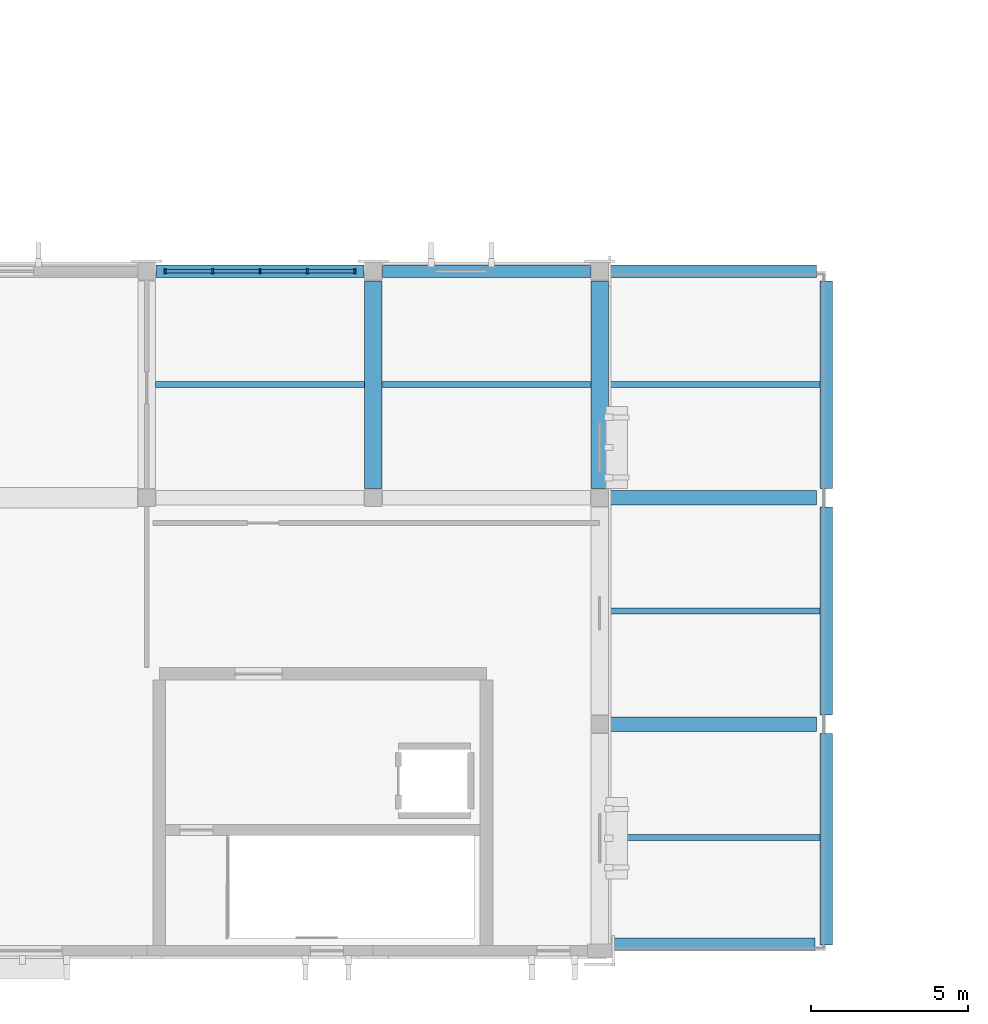
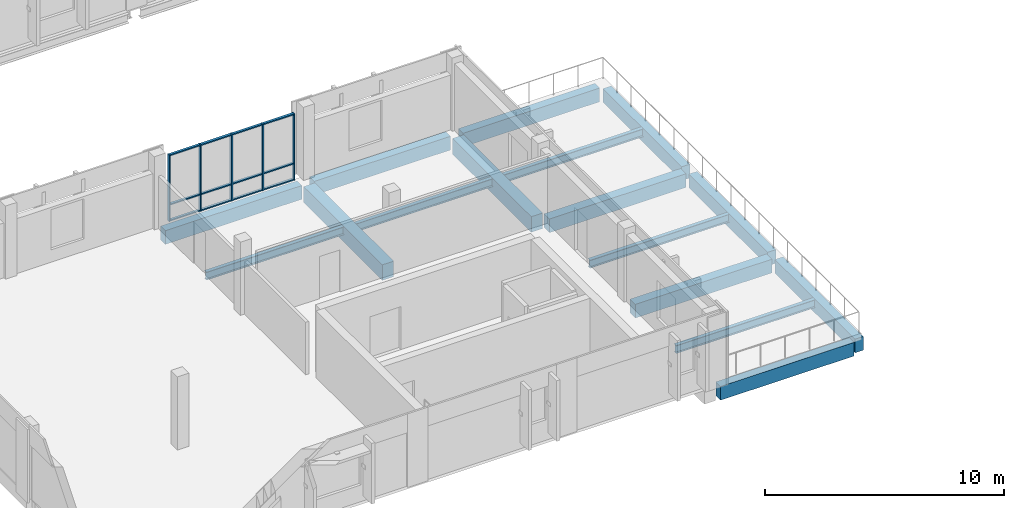
# One storey, part 11 of 73: 17 members, 16 beams, 1 element without a shape of its own.
"""IFC4 building model written with IfcOpenShell, lengths in metres."""

from ifc_helpers import new_model, si_unit, direction, frame, origin, origin_2d, place, context, subcontext, project, spatial, rectangle, i_section, extrude, material, material_profile, profile_set, type_object, element, aggregate, save


model = new_model("IFC4")

# Units and contexts
model_context = context("Model", 3, precision=1e-05, world=origin(), true_north=direction((0.0, 1.0)))
body_context = subcontext(model_context, "Body", "Model", "MODEL_VIEW")
ifc_project = project(units=[si_unit("LENGTHUNIT", "METRE"), si_unit("AREAUNIT", "SQUARE_METRE"), si_unit("VOLUMEUNIT", "CUBIC_METRE"), si_unit("PLANEANGLEUNIT", "RADIAN"), si_unit("MASSUNIT", "GRAM", prefix="KILO")], contexts=[model_context])

# Site, building, storey
site_placement = place(None, origin())
site = spatial("IfcSite", under=ifc_project, at=site_placement, CompositionType="ELEMENT")
building_placement = place(site_placement, origin())
building = spatial("IfcBuilding", under=site, at=building_placement, Name="Vervanel Yard Central Library", CompositionType="ELEMENT")
storey_placement = place(building_placement, frame((0.0, 0.0, 12.780029296875)))
storey = spatial("IfcBuildingStorey", under=building, at=storey_placement, Name="L03", CompositionType="ELEMENT", Elevation=12.780029296875)

# Curtain wall, members
ifc_material_1 = material(Name="Thermally broken anodized aluminium 6063-T6", Category="aluminium")
curtain_wall_type = type_object("IfcCurtainWallType", Name="Boulevard Cafe & Bridge Curtain Wall", PredefinedType="NOTDEFINED", material=ifc_material_1)
curtain_wall_placement = place(storey_placement, origin())
curtain_wall = element("IfcCurtainWall", 1, at=curtain_wall_placement, inside=storey, type_object=curtain_wall_type, Name="L03 Boulevard Cafe & Bridge Curtain Wall CWR-L03-200", PredefinedType="NOTDEFINED")
ifc_material_profile_1 = material_profile(ifc_material_1, rectangle(XDim=0.06005859375, YDim=0.159912109375, at=origin_2d()), Name="ALU 60x160", Category="aluminium")
ifc_profile_set_1 = profile_set([ifc_material_profile_1], Name="Thermally broken anodized aluminium 6063-T6")
member_type_1 = type_object("IfcMemberType", Name="Bridge & Courtyard Mullion 60x160", PredefinedType="MULLION", material=ifc_profile_set_1)
member_1_placement = place(storey_placement, frame((14.989990234375, 21.60009765625, 0.0), z_axis=(0.0, 0.0, 1.0), x_axis=(1.0, 0.0, 0.0)))
member_1 = element("IfcMember", 2, at=member_1_placement, type_object=member_type_1, Name="CWR-L03-200 Mullion 1", PredefinedType="MULLION", context=body_context, shape_type="SweptSolid", body=[
    extrude(rectangle(XDim=0.06005859375, YDim=0.159912109375, at=origin_2d()), origin(), (0.0, 0.0, 1.0), 3.39990234375),
])
member_2_placement = place(storey_placement, frame((16.4951171875, 21.60009765625, 0.0), z_axis=(0.0, 0.0, 1.0), x_axis=(1.0, 0.0, 0.0)))
member_2 = element("IfcMember", 3, at=member_2_placement, type_object=member_type_1, Name="CWR-L03-200 Mullion 2", PredefinedType="MULLION", context=body_context, shape_type="SweptSolid", body=[
    extrude(rectangle(XDim=0.06005859375, YDim=0.159912109375, at=origin_2d()), origin(), (0.0, 0.0, 1.0), 3.39990234375),
])
member_3_placement = place(storey_placement, frame((18.0, 21.60009765625, 0.0), z_axis=(0.0, 0.0, 1.0), x_axis=(1.0, 0.0, 0.0)))
member_3 = element("IfcMember", 4, at=member_3_placement, type_object=member_type_1, Name="CWR-L03-200 Mullion 3", PredefinedType="MULLION", context=body_context, shape_type="SweptSolid", body=[
    extrude(rectangle(XDim=0.06005859375, YDim=0.159912109375, at=origin_2d()), origin(), (0.0, 0.0, 1.0), 3.39990234375),
])
member_4_placement = place(storey_placement, frame((19.5048828125, 21.60009765625, 0.0), z_axis=(0.0, 0.0, 1.0), x_axis=(1.0, 0.0, 0.0)))
member_4 = element("IfcMember", 5, at=member_4_placement, type_object=member_type_1, Name="CWR-L03-200 Mullion 4", PredefinedType="MULLION", context=body_context, shape_type="SweptSolid", body=[
    extrude(rectangle(XDim=0.06005859375, YDim=0.159912109375, at=origin_2d()), origin(), (0.0, 0.0, 1.0), 3.39990234375),
])
member_5_placement = place(storey_placement, frame((21.010009765625, 21.60009765625, 0.0), z_axis=(0.0, 0.0, 1.0), x_axis=(1.0, 0.0, 0.0)))
member_5 = element("IfcMember", 6, at=member_5_placement, type_object=member_type_1, Name="CWR-L03-200 Mullion 5", PredefinedType="MULLION", context=body_context, shape_type="SweptSolid", body=[
    extrude(rectangle(XDim=0.06005859375, YDim=0.159912109375, at=origin_2d()), origin(), (0.0, 0.0, 1.0), 3.39990234375),
])
ifc_material_profile_2 = material_profile(ifc_material_1, rectangle(XDim=0.06005859375, YDim=0.1201171875, at=origin_2d()), Name="ALU 60x120", Category="aluminium")
ifc_profile_set_2 = profile_set([ifc_material_profile_2], Name="Thermally broken anodized aluminium 6063-T6")
member_type_2 = type_object("IfcMemberType", Name="Bridge & Courtyard Transom 60x120", PredefinedType="NOTDEFINED", material=ifc_profile_set_2)
member_6_placement = place(storey_placement, frame((15.02001953125, 21.60009765625, 0.030029296875), z_axis=(1.0, 0.0, 0.0), x_axis=(0.0, 0.0, 1.0)))
member_6 = element("IfcMember", 7, at=member_6_placement, type_object=member_type_2, Name="CWR-L03-200 Transom B1-T1", ObjectType="TRANSOM", PredefinedType="USERDEFINED", context=body_context, shape_type="SweptSolid", body=[
    extrude(rectangle(XDim=0.06005859375, YDim=0.1201171875, at=origin_2d()), origin(), (0.0, 0.0, 1.0), 1.445068359375),
])
member_7_placement = place(storey_placement, frame((15.02001953125, 21.60009765625, 0.849853515625), z_axis=(1.0, 0.0, 0.0), x_axis=(0.0, 0.0, 1.0)))
member_7 = element("IfcMember", 8, at=member_7_placement, type_object=member_type_2, Name="CWR-L03-200 Transom B1-T2", ObjectType="TRANSOM", PredefinedType="USERDEFINED", context=body_context, shape_type="SweptSolid", body=[
    extrude(rectangle(XDim=0.06005859375, YDim=0.1201171875, at=origin_2d()), origin(), (0.0, 0.0, 1.0), 1.445068359375),
])
member_8_placement = place(storey_placement, frame((15.02001953125, 21.60009765625, 3.369873046875), z_axis=(1.0, 0.0, 0.0), x_axis=(0.0, 0.0, 1.0)))
member_8 = element("IfcMember", 9, at=member_8_placement, type_object=member_type_2, Name="CWR-L03-200 Transom B1-T3", ObjectType="TRANSOM", PredefinedType="USERDEFINED", context=body_context, shape_type="SweptSolid", body=[
    extrude(rectangle(XDim=0.06005859375, YDim=0.1201171875, at=origin_2d()), origin(), (0.0, 0.0, 1.0), 1.445068359375),
])
member_9_placement = place(storey_placement, frame((16.52490234375, 21.60009765625, 0.030029296875), z_axis=(1.0, 0.0, 0.0), x_axis=(0.0, 0.0, 1.0)))
member_9 = element("IfcMember", 10, at=member_9_placement, type_object=member_type_2, Name="CWR-L03-200 Transom B2-T1", ObjectType="TRANSOM", PredefinedType="USERDEFINED", context=body_context, shape_type="SweptSolid", body=[
    extrude(rectangle(XDim=0.06005859375, YDim=0.1201171875, at=origin_2d()), origin(), (0.0, 0.0, 1.0), 1.445068359375),
])
member_10_placement = place(storey_placement, frame((16.52490234375, 21.60009765625, 0.849853515625), z_axis=(1.0, 0.0, 0.0), x_axis=(0.0, 0.0, 1.0)))
member_10 = element("IfcMember", 11, at=member_10_placement, type_object=member_type_2, Name="CWR-L03-200 Transom B2-T2", ObjectType="TRANSOM", PredefinedType="USERDEFINED", context=body_context, shape_type="SweptSolid", body=[
    extrude(rectangle(XDim=0.06005859375, YDim=0.1201171875, at=origin_2d()), origin(), (0.0, 0.0, 1.0), 1.445068359375),
])
member_11_placement = place(storey_placement, frame((16.52490234375, 21.60009765625, 3.369873046875), z_axis=(1.0, 0.0, 0.0), x_axis=(0.0, 0.0, 1.0)))
member_11 = element("IfcMember", 12, at=member_11_placement, type_object=member_type_2, Name="CWR-L03-200 Transom B2-T3", ObjectType="TRANSOM", PredefinedType="USERDEFINED", context=body_context, shape_type="SweptSolid", body=[
    extrude(rectangle(XDim=0.06005859375, YDim=0.1201171875, at=origin_2d()), origin(), (0.0, 0.0, 1.0), 1.445068359375),
])
member_12_placement = place(storey_placement, frame((18.030029296875, 21.60009765625, 0.030029296875), z_axis=(1.0, 0.0, 0.0), x_axis=(0.0, 0.0, 1.0)))
member_12 = element("IfcMember", 13, at=member_12_placement, type_object=member_type_2, Name="CWR-L03-200 Transom B3-T1", ObjectType="TRANSOM", PredefinedType="USERDEFINED", context=body_context, shape_type="SweptSolid", body=[
    extrude(rectangle(XDim=0.06005859375, YDim=0.1201171875, at=origin_2d()), origin(), (0.0, 0.0, 1.0), 1.445068359375),
])
member_13_placement = place(storey_placement, frame((18.030029296875, 21.60009765625, 0.849853515625), z_axis=(1.0, 0.0, 0.0), x_axis=(0.0, 0.0, 1.0)))
member_13 = element("IfcMember", 14, at=member_13_placement, type_object=member_type_2, Name="CWR-L03-200 Transom B3-T2", ObjectType="TRANSOM", PredefinedType="USERDEFINED", context=body_context, shape_type="SweptSolid", body=[
    extrude(rectangle(XDim=0.06005859375, YDim=0.1201171875, at=origin_2d()), origin(), (0.0, 0.0, 1.0), 1.445068359375),
])
member_14_placement = place(storey_placement, frame((18.030029296875, 21.60009765625, 3.369873046875), z_axis=(1.0, 0.0, 0.0), x_axis=(0.0, 0.0, 1.0)))
member_14 = element("IfcMember", 15, at=member_14_placement, type_object=member_type_2, Name="CWR-L03-200 Transom B3-T3", ObjectType="TRANSOM", PredefinedType="USERDEFINED", context=body_context, shape_type="SweptSolid", body=[
    extrude(rectangle(XDim=0.06005859375, YDim=0.1201171875, at=origin_2d()), origin(), (0.0, 0.0, 1.0), 1.445068359375),
])
member_15_placement = place(storey_placement, frame((19.534912109375, 21.60009765625, 0.030029296875), z_axis=(1.0, 0.0, 0.0), x_axis=(0.0, 0.0, 1.0)))
member_15 = element("IfcMember", 16, at=member_15_placement, type_object=member_type_2, Name="CWR-L03-200 Transom B4-T1", ObjectType="TRANSOM", PredefinedType="USERDEFINED", context=body_context, shape_type="SweptSolid", body=[
    extrude(rectangle(XDim=0.06005859375, YDim=0.1201171875, at=origin_2d()), origin(), (0.0, 0.0, 1.0), 1.445068359375),
])
member_16_placement = place(storey_placement, frame((19.534912109375, 21.60009765625, 0.849853515625), z_axis=(1.0, 0.0, 0.0), x_axis=(0.0, 0.0, 1.0)))
member_16 = element("IfcMember", 17, at=member_16_placement, type_object=member_type_2, Name="CWR-L03-200 Transom B4-T2", ObjectType="TRANSOM", PredefinedType="USERDEFINED", context=body_context, shape_type="SweptSolid", body=[
    extrude(rectangle(XDim=0.06005859375, YDim=0.1201171875, at=origin_2d()), origin(), (0.0, 0.0, 1.0), 1.445068359375),
])
member_17_placement = place(storey_placement, frame((19.534912109375, 21.60009765625, 3.369873046875), z_axis=(1.0, 0.0, 0.0), x_axis=(0.0, 0.0, 1.0)))
member_17 = element("IfcMember", 18, at=member_17_placement, type_object=member_type_2, Name="CWR-L03-200 Transom B4-T3", ObjectType="TRANSOM", PredefinedType="USERDEFINED", context=body_context, shape_type="SweptSolid", body=[
    extrude(rectangle(XDim=0.06005859375, YDim=0.1201171875, at=origin_2d()), origin(), (0.0, 0.0, 1.0), 1.445068359375),
])
aggregate(curtain_wall, [member_1, member_2, member_3, member_4, member_5, member_6, member_7, member_8, member_9, member_10, member_11, member_12, member_13, member_14, member_15, member_16, member_17])

# Beams
ifc_material_2 = material(Name="Concrete C40/50", Category="concrete")
ifc_material_profile_3 = material_profile(ifc_material_2, rectangle(XDim=0.449951171875, YDim=0.699951171875, at=origin_2d()), Name="RC 450x700", Category="concrete")
ifc_profile_set_3 = profile_set([ifc_material_profile_3], Name="Concrete C40/50")
beam_type_1 = type_object("IfcBeamType", Name="Concrete Girder 450x700", PredefinedType="BEAM", material=ifc_profile_set_3)
for number, where, z_axis, x_axis, name in (
    (19, (29.10009765625, 7.199951171875, -0.695068359375), (1.0, 0.0, 0.0), (0.0, 1.0, 0.0), "L03 Girder CB-05 Y=7.2 X=28.8-36.0"),
    (20, (29.10009765625, 14.39990234375, -0.695068359375), (1.0, 0.0, 0.0), (0.0, 1.0, 0.0), "L03 Girder CB-05 Y=14.4 X=28.8-36.0"),
):
    element("IfcBeam", number, at=place(storey_placement, frame(where, z_axis=z_axis, x_axis=x_axis)), inside=storey, type_object=beam_type_1, Name=name, PredefinedType="BEAM", context=body_context, shape_type="SweptSolid", body=[
        extrude(rectangle(XDim=0.449951171875, YDim=0.699951171875, at=origin_2d()), origin(), (0.0, 0.0, 1.0), 6.599853515625),
    ])
ifc_material_profile_4 = material_profile(ifc_material_2, rectangle(XDim=0.39990234375, YDim=0.699951171875, at=origin_2d()), Name="RC 400x700", Category="concrete")
ifc_profile_set_4 = profile_set([ifc_material_profile_4], Name="Concrete C40/50")
beam_type_2 = type_object("IfcBeamType", Name="Concrete Perimeter Spandrel 400x700", PredefinedType="SPANDREL", material=ifc_profile_set_4)
beam_1_placement = place(storey_placement, frame((29.18994140625, 0.199951171875, -0.695068359375), z_axis=(1.0, 0.0, 0.0), x_axis=(0.0, 1.0, 0.0)))
element("IfcBeam", 21, at=beam_1_placement, inside=storey, type_object=beam_type_2, Name="L03 Girder SP-01 Y=0.0 X=28.8-36.0", PredefinedType="SPANDREL", context=body_context, shape_type="SweptSolid", body=[
    extrude(rectangle(XDim=0.39990234375, YDim=0.699951171875, at=origin_2d()), origin(), (0.0, 0.0, 1.0), 6.4599609375),
])
for number, where, z_axis, x_axis, name in (
    (22, (14.699951171875, 21.60009765625, -0.635009765625), (1.0, 0.0, 0.0), (0.0, 1.0, 0.0), "L03 Girder SP-01 Y=21.6 X=14.4-21.6"),
    (23, (21.89990234375, 21.60009765625, -0.635009765625), (1.0, 0.0, 0.0), (0.0, 1.0, 0.0), "L03 Girder SP-01 Y=21.6 X=21.6-28.8"),
):
    element("IfcBeam", number, at=place(storey_placement, frame(where, z_axis=z_axis, x_axis=x_axis)), inside=storey, type_object=beam_type_2, Name=name, PredefinedType="SPANDREL", context=body_context, shape_type="SweptSolid", body=[
        extrude(rectangle(XDim=0.39990234375, YDim=0.699951171875, at=origin_2d()), origin(), (0.0, 0.0, 1.0), 6.60009765625),
    ])
beam_2_placement = place(storey_placement, frame((29.10009765625, 21.60009765625, -0.695068359375), z_axis=(1.0, 0.0, 0.0), x_axis=(0.0, 1.0, 0.0)))
element("IfcBeam", 24, at=beam_2_placement, inside=storey, type_object=beam_type_2, Name="L03 Girder SP-01 Y=21.6 X=28.8-36.0", PredefinedType="SPANDREL", context=body_context, shape_type="SweptSolid", body=[
    extrude(rectangle(XDim=0.39990234375, YDim=0.699951171875, at=origin_2d()), origin(), (0.0, 0.0, 1.0), 6.599853515625),
])
beam_3_placement = place(storey_placement, frame((36.0, 0.175048828125, -0.695068359375), z_axis=(0.0, 1.0, 0.0), x_axis=(-1.0, 0.0, 0.0)))
element("IfcBeam", 25, at=beam_3_placement, inside=storey, type_object=beam_type_2, Name="L03 Girder SP-01 X=36.0 Y=0.0-7.2", PredefinedType="SPANDREL", context=body_context, shape_type="SweptSolid", body=[
    extrude(rectangle(XDim=0.39990234375, YDim=0.699951171875, at=origin_2d()), origin(), (0.0, 0.0, 1.0), 6.724853515625),
])
for number, where, z_axis, x_axis, name in (
    (26, (36.0, 7.5, -0.695068359375), (0.0, 1.0, 0.0), (-1.0, 0.0, 0.0), "L03 Girder SP-01 X=36.0 Y=7.2-14.4"),
    (27, (36.0, 14.699951171875, -0.695068359375), (0.0, 1.0, 0.0), (-1.0, 0.0, 0.0), "L03 Girder SP-01 X=36.0 Y=14.4-21.6"),
):
    element("IfcBeam", number, at=place(storey_placement, frame(where, z_axis=z_axis, x_axis=x_axis)), inside=storey, type_object=beam_type_2, Name=name, PredefinedType="SPANDREL", context=body_context, shape_type="SweptSolid", body=[
        extrude(rectangle(XDim=0.39990234375, YDim=0.699951171875, at=origin_2d()), origin(), (0.0, 0.0, 1.0), 6.60009765625),
    ])
ifc_material_profile_5 = material_profile(ifc_material_2, rectangle(XDim=0.550048828125, YDim=0.800048828125, at=origin_2d()), Name="RC 550x800", Category="concrete")
ifc_profile_set_5 = profile_set([ifc_material_profile_5], Name="Concrete C40/50")
beam_type_3 = type_object("IfcBeamType", Name="Concrete Primary Girder 550x800", PredefinedType="BEAM", material=ifc_profile_set_5)
for number, where, z_axis, x_axis, name in (
    (28, (21.60009765625, 14.699951171875, -0.68505859375), (0.0, 1.0, 0.0), (-1.0, 0.0, 0.0), "L03 Girder CB-02 X=21.6 Y=14.4-21.6"),
    (29, (28.800048828125, 14.699951171875, -0.7451171875), (0.0, 1.0, 0.0), (-1.0, 0.0, 0.0), "L03 Girder CB-02 X=28.8 Y=14.4-21.6"),
):
    element("IfcBeam", number, at=place(storey_placement, frame(where, z_axis=z_axis, x_axis=x_axis)), inside=storey, type_object=beam_type_3, Name=name, PredefinedType="BEAM", context=body_context, shape_type="SweptSolid", body=[
        extrude(rectangle(XDim=0.550048828125, YDim=0.800048828125, at=origin_2d()), origin(), (0.0, 0.0, 1.0), 6.60009765625),
    ])
ifc_material_3 = material(Name="Steel ASTM A992 Grade 50", Category="steel")
ifc_material_profile_6 = material_profile(ifc_material_3, i_section(OverallWidth=0.1787109375, OverallDepth=0.408935546875, WebThickness=0.0087890625, FlangeThickness=0.014404296875, at=origin_2d()), Name="W16X45", Category="steel")
ifc_profile_set_6 = profile_set([ifc_material_profile_6], Name="Steel ASTM A992 Grade 50")
beam_type_4 = type_object("IfcBeamType", Name="Steel Secondary Joist W16X45", PredefinedType="JOIST", material=ifc_profile_set_6)
for number, where, z_axis, x_axis, name in (
    (30, (14.675048828125, 18.0, -0.489501953125), (1.0, 0.0, 0.0), (0.0, 1.0, 0.0), "L03 Floor Joist SJ-01 Y=18.00 X=14.4-21.6"),
    (31, (21.875, 18.0, -0.549560546875), (1.0, 0.0, 0.0), (0.0, 1.0, 0.0), "L03 Floor Joist SJ-01 Y=18.00 X=21.6-28.8"),
):
    element("IfcBeam", number, at=place(storey_placement, frame(where, z_axis=z_axis, x_axis=x_axis)), inside=storey, type_object=beam_type_4, Name=name, PredefinedType="JOIST", context=body_context, shape_type="SweptSolid", body=[
        extrude(i_section(OverallWidth=0.1787109375, OverallDepth=0.408935546875, WebThickness=0.0087890625, FlangeThickness=0.014404296875, at=origin_2d()), origin(), (0.0, 0.0, 1.0), 6.64990234375),
    ])
for number, where, z_axis, x_axis, name in (
    (32, (29.074951171875, 3.60009765625, -0.549560546875), (1.0, 0.0, 0.0), (0.0, 1.0, 0.0), "L03 Floor Joist SJ-01 Y=3.60 X=28.8-36.0"),
    (33, (29.074951171875, 10.800048828125, -0.549560546875), (1.0, 0.0, 0.0), (0.0, 1.0, 0.0), "L03 Floor Joist SJ-01 Y=10.80 X=28.8-36.0"),
    (34, (29.074951171875, 18.0, -0.549560546875), (1.0, 0.0, 0.0), (0.0, 1.0, 0.0), "L03 Floor Joist SJ-01 Y=18.00 X=28.8-36.0"),
):
    element("IfcBeam", number, at=place(storey_placement, frame(where, z_axis=z_axis, x_axis=x_axis)), inside=storey, type_object=beam_type_4, Name=name, PredefinedType="JOIST", context=body_context, shape_type="SweptSolid", body=[
        extrude(i_section(OverallWidth=0.1787109375, OverallDepth=0.408935546875, WebThickness=0.0087890625, FlangeThickness=0.014404296875, at=origin_2d()), origin(), (0.0, 0.0, 1.0), 6.72509765625),
    ])

save(model, "model.ifc")
